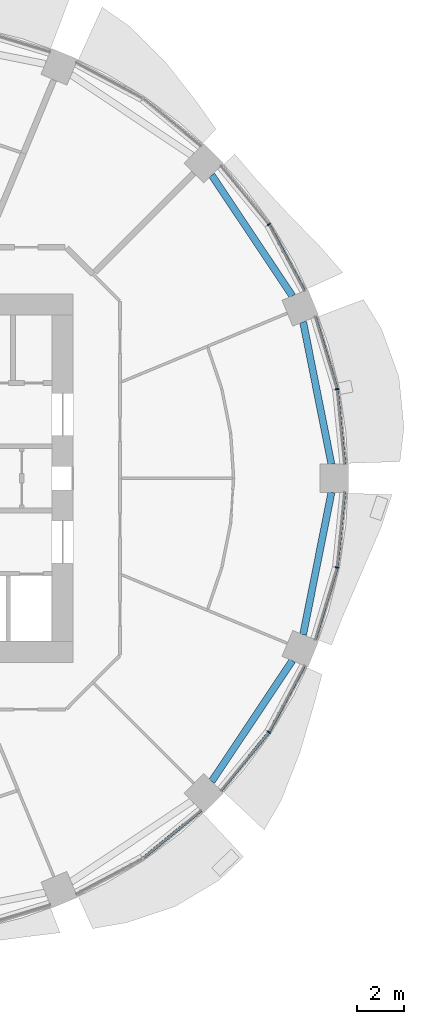
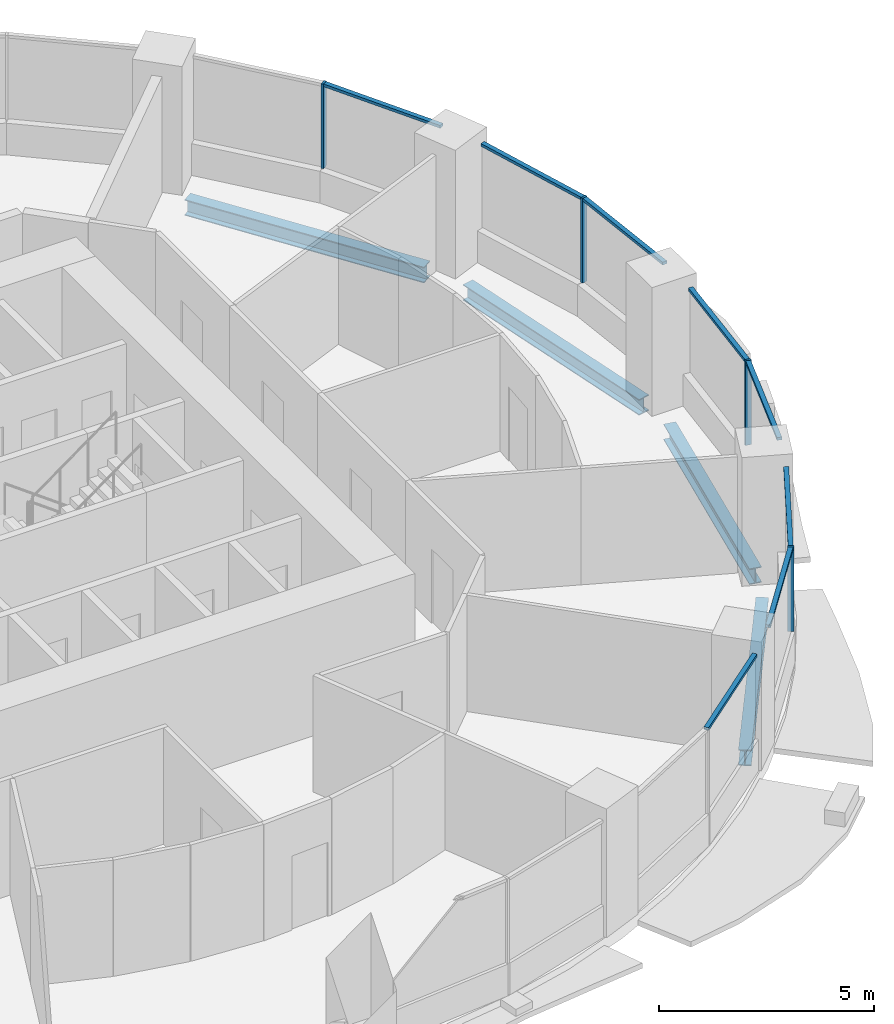
# One storey, part 5 of 15: 12 members, 4 beams, 5 elements without a shape of their own.
"""IFC4 building model written with IfcOpenShell, lengths in metres."""

from ifc_helpers import new_model, si_unit, direction, frame, origin, origin_2d, place, context, subcontext, project, spatial, rectangle, i_section, extrude, material, material_profile, profile_set, type_object, element, aggregate, save


model = new_model("IFC4")

# Units and contexts
model_context = context("Model", 3, precision=1e-05, world=origin(), true_north=direction((0.0, 1.0)))
body_context = subcontext(model_context, "Body", "Model", "MODEL_VIEW")
ifc_project = project(units=[si_unit("LENGTHUNIT", "METRE"), si_unit("AREAUNIT", "SQUARE_METRE"), si_unit("VOLUMEUNIT", "CUBIC_METRE"), si_unit("PLANEANGLEUNIT", "RADIAN"), si_unit("MASSUNIT", "GRAM", prefix="KILO")], contexts=[model_context])

# Site, building, storey
site_placement = place(None, origin())
site = spatial("IfcSite", under=ifc_project, at=site_placement, CompositionType="ELEMENT")
building_placement = place(site_placement, origin())
building = spatial("IfcBuilding", under=site, at=building_placement, Name="Polderwave Tower", CompositionType="ELEMENT")
storey_placement = place(building_placement, frame((0.0, 0.0, 48.10009765625)))
storey = spatial("IfcBuildingStorey", under=building, at=storey_placement, Name="L12", CompositionType="ELEMENT", Elevation=48.10009765625)

# Curtain wall, member
ifc_material_1 = material(Name="Aluminium 6063-T6 and glass", Category="aluminium")
curtain_wall_type = type_object("IfcCurtainWallType", Name="Growing floor ribbon glazing wall", PredefinedType="NOTDEFINED", material=ifc_material_1)
curtain_wall_1_placement = place(storey_placement, origin())
curtain_wall_1 = element("IfcCurtainWall", 1, at=curtain_wall_1_placement, inside=storey, type_object=curtain_wall_type, Name="CW2 L12 00", PredefinedType="NOTDEFINED")
ifc_material_2 = material(Name="Aluminium 6063-T6", Category="aluminium")
ifc_material_profile_1 = material_profile(ifc_material_2, rectangle(XDim=0.14990234375, YDim=0.06005859375, at=origin_2d()), Name="AL 60x150")
ifc_profile_set_1 = profile_set([ifc_material_profile_1], Name="Aluminium 6063-T6")
member_type_1 = type_object("IfcMemberType", Name="Growing floor ribbon glazing mullion 60x150", PredefinedType="MULLION", material=ifc_profile_set_1)
member_1_placement = place(storey_placement, frame((19.155029296875, 3.81005859375, 0.89990234375), z_axis=(0.0, 0.0, 1.0), x_axis=(-0.980773701784, -0.195148522643, 0.0)))
member_1 = element("IfcMember", 2, at=member_1_placement, type_object=member_type_1, Name="CW2 mullion 1", PredefinedType="MULLION", context=body_context, shape_type="SweptSolid", body=[
    extrude(rectangle(XDim=0.14990234375, YDim=0.06005859375, at=origin_2d()), origin(), (0.0, 0.0, 1.0), 2.39990234375),
])

curtain_wall_2_placement = place(storey_placement, origin())
curtain_wall_2 = element("IfcCurtainWall", 3, at=curtain_wall_2_placement, inside=storey, type_object=curtain_wall_type, Name="CW2 L12 01", PredefinedType="NOTDEFINED")
member_2_placement = place(storey_placement, frame((16.239013671875, 10.85009765625, 0.89990234375), z_axis=(0.0, 0.0, 1.0), x_axis=(-0.83146573367, -0.555576037759, 0.0)))
member_2 = element("IfcMember", 4, at=member_2_placement, type_object=member_type_1, Name="CW2 mullion 1", PredefinedType="MULLION", context=body_context, shape_type="SweptSolid", body=[
    extrude(rectangle(XDim=0.14990234375, YDim=0.06005859375, at=origin_2d()), origin(), (0.0, 0.0, 1.0), 2.39990234375),
])

curtain_wall_3_placement = place(storey_placement, origin())
curtain_wall_3 = element("IfcCurtainWall", 5, at=curtain_wall_3_placement, inside=storey, type_object=curtain_wall_type, Name="CW2 L12 14", PredefinedType="NOTDEFINED")
member_3_placement = place(storey_placement, frame((16.239013671875, -10.85009765625, 0.89990234375), z_axis=(0.0, 0.0, 1.0), x_axis=(-0.83146573367, 0.555576037759, 0.0)))
member_3 = element("IfcMember", 6, at=member_3_placement, type_object=member_type_1, Name="CW2 mullion 1", PredefinedType="MULLION", context=body_context, shape_type="SweptSolid", body=[
    extrude(rectangle(XDim=0.14990234375, YDim=0.06005859375, at=origin_2d()), origin(), (0.0, 0.0, 1.0), 2.39990234375),
])

curtain_wall_4_placement = place(storey_placement, origin())
curtain_wall_4 = element("IfcCurtainWall", 7, at=curtain_wall_4_placement, inside=storey, type_object=curtain_wall_type, Name="CW2 L12 15", PredefinedType="NOTDEFINED")
member_4_placement = place(storey_placement, frame((19.155029296875, -3.81005859375, 0.89990234375), z_axis=(0.0, 0.0, 1.0), x_axis=(-0.980773701784, 0.195148522643, 0.0)))
member_4 = element("IfcMember", 8, at=member_4_placement, type_object=member_type_1, Name="CW2 mullion 1", PredefinedType="MULLION", context=body_context, shape_type="SweptSolid", body=[
    extrude(rectangle(XDim=0.14990234375, YDim=0.06005859375, at=origin_2d()), origin(), (0.0, 0.0, 1.0), 2.39990234375),
])

# Member
ifc_material_profile_2 = material_profile(ifc_material_2, rectangle(XDim=0.1201171875, YDim=0.080078125, at=origin_2d()), Name="AL 80x120")
ifc_profile_set_2 = profile_set([ifc_material_profile_2], Name="Aluminium 6063-T6")
member_type_2 = type_object("IfcMemberType", Name="Growing floor ribbon glazing transom 80x120", PredefinedType="USERDEFINED", material=ifc_profile_set_2)
member_5_placement = place(storey_placement, frame((19.470947265625, 0.60009765625, 3.260009765625), z_axis=(-0.097952778777, 0.99519106363, 0.0), x_axis=(-0.99519106363, -0.097952778777, 0.0)))
member_5 = element("IfcMember", 9, at=member_5_placement, type_object=member_type_2, Name="CW2 transom 1", ObjectType="TRANSOM", PredefinedType="USERDEFINED", context=body_context, shape_type="SweptSolid", body=[
    extrude(rectangle(XDim=0.1201171875, YDim=0.080078125, at=origin_2d()), origin(), (0.0, 0.0, 1.0), 3.1953125),
])

member_6_placement = place(storey_placement, frame((19.146240234375, 3.838623046875, 3.260009765625), z_axis=(-0.290422902272, 0.95689839473, 0.0), x_axis=(-0.95689839473, -0.290422902272, 0.0)))
member_6 = element("IfcMember", 10, at=member_6_placement, type_object=member_type_2, Name="CW2 transom 2", ObjectType="TRANSOM", PredefinedType="USERDEFINED", context=body_context, shape_type="SweptSolid", body=[
    extrude(rectangle(XDim=0.1201171875, YDim=0.080078125, at=origin_2d()), origin(), (0.0, 0.0, 1.0), 3.196044921875),
])

aggregate(curtain_wall_1, [member_1, member_5, member_6])

member_7_placement = place(storey_placement, frame((17.759033203125, 8.006103515625, 3.260009765625), z_axis=(-0.471381370673, 0.881929477556, 0.0), x_axis=(-0.881929477556, -0.471381370673, 0.0)))
member_7 = element("IfcMember", 11, at=member_7_placement, type_object=member_type_2, Name="CW2 transom 1", ObjectType="TRANSOM", PredefinedType="USERDEFINED", context=body_context, shape_type="SweptSolid", body=[
    extrude(rectangle(XDim=0.1201171875, YDim=0.080078125, at=origin_2d()), origin(), (0.0, 0.0, 1.0), 3.194580078125),
])

aggregate(curtain_wall_2, [member_2, member_7])

# Curtain wall, member
curtain_wall_5_placement = place(storey_placement, origin())
curtain_wall_5 = element("IfcCurtainWall", 12, at=curtain_wall_5_placement, inside=storey, type_object=curtain_wall_type, Name="CW2 L12 13", PredefinedType="NOTDEFINED")
member_8_placement = place(storey_placement, frame((10.873291015625, -16.219970703125, 3.260009765625), z_axis=(0.772945627941, 0.63447226594, 0.0), x_axis=(-0.63447226594, 0.772945627941, 0.0)))
member_8 = element("IfcMember", 13, at=member_8_placement, type_object=member_type_2, Name="CW2 transom 2", ObjectType="TRANSOM", PredefinedType="USERDEFINED", context=body_context, shape_type="SweptSolid", body=[
    extrude(rectangle(XDim=0.1201171875, YDim=0.080078125, at=origin_2d()), origin(), (0.0, 0.0, 1.0), 3.196533203125),
])
aggregate(curtain_wall_5, [member_8])

# Member
member_9_placement = place(storey_placement, frame((14.19189453125, -13.343994140625, 3.260009765625), z_axis=(0.63447226594, 0.772945627941, 0.0), x_axis=(-0.772945627941, 0.63447226594, 0.0)))
member_9 = element("IfcMember", 14, at=member_9_placement, type_object=member_type_2, Name="CW2 transom 1", ObjectType="TRANSOM", PredefinedType="USERDEFINED", context=body_context, shape_type="SweptSolid", body=[
    extrude(rectangle(XDim=0.1201171875, YDim=0.080078125, at=origin_2d()), origin(), (0.0, 0.0, 1.0), 3.196533203125),
])

member_10_placement = place(storey_placement, frame((16.253173828125, -10.823486328125, 3.260009765625), z_axis=(0.471381370673, 0.881929477556, 0.0), x_axis=(-0.881929477556, 0.471381370673, 0.0)))
member_10 = element("IfcMember", 15, at=member_10_placement, type_object=member_type_2, Name="CW2 transom 2", ObjectType="TRANSOM", PredefinedType="USERDEFINED", context=body_context, shape_type="SweptSolid", body=[
    extrude(rectangle(XDim=0.1201171875, YDim=0.080078125, at=origin_2d()), origin(), (0.0, 0.0, 1.0), 3.194580078125),
])

aggregate(curtain_wall_3, [member_3, member_9, member_10])

member_11_placement = place(storey_placement, frame((18.218017578125, -6.89697265625, 3.260009765625), z_axis=(0.290422902272, 0.95689839473, 0.0), x_axis=(-0.95689839473, 0.290422902272, 0.0)))
member_11 = element("IfcMember", 16, at=member_11_placement, type_object=member_type_2, Name="CW2 transom 1", ObjectType="TRANSOM", PredefinedType="USERDEFINED", context=body_context, shape_type="SweptSolid", body=[
    extrude(rectangle(XDim=0.1201171875, YDim=0.080078125, at=origin_2d()), origin(), (0.0, 0.0, 1.0), 3.196044921875),
])

member_12_placement = place(storey_placement, frame((19.157958984375, -3.780029296875, 3.260009765625), z_axis=(0.097952778777, 0.99519106363, 0.0), x_axis=(-0.99519106363, 0.097952778777, 0.0)))
member_12 = element("IfcMember", 17, at=member_12_placement, type_object=member_type_2, Name="CW2 transom 2", ObjectType="TRANSOM", PredefinedType="USERDEFINED", context=body_context, shape_type="SweptSolid", body=[
    extrude(rectangle(XDim=0.1201171875, YDim=0.080078125, at=origin_2d()), origin(), (0.0, 0.0, 1.0), 3.1953125),
])

aggregate(curtain_wall_4, [member_4, member_11, member_12])

# Beams
ifc_material_3 = material(Name="Steel S355", Category="steel")
ifc_material_profile_3 = material_profile(ifc_material_3, i_section(OverallWidth=0.300048828125, OverallDepth=0.449951171875, WebThickness=0.013916015625, FlangeThickness=0.02587890625, at=origin_2d()), Name="HE 450 B")
ifc_profile_set_3 = profile_set([ifc_material_profile_3], Name="Steel S355")
beam_type = type_object("IfcBeamType", Name="RING BEAM HE 450 B", PredefinedType="BEAM", material=ifc_profile_set_3)
beam_1_placement = place(storey_placement, frame((18.91064453125, 0.60009765625, -0.5751953125), z_axis=(-0.195109112701, 0.980781542517, 0.0), x_axis=(-0.980781542517, -0.195109112701, 0.0)))
element("IfcBeam", 18, at=beam_1_placement, inside=storey, type_object=beam_type, Name="ST-RB-L12-00", PredefinedType="BEAM", context=body_context, shape_type="SweptSolid", body=[
    extrude(i_section(OverallWidth=0.300048828125, OverallDepth=0.449951171875, WebThickness=0.013916015625, FlangeThickness=0.02587890625, at=origin_2d()), origin(), (0.0, 0.0, 1.0), 6.201416015625),
])
for number, where, z_axis, x_axis, name in (
    (19, (17.241455078125, 7.791015625, -0.5751953125), (-0.555553875554, 0.831480541779, 0.0), (-0.831480541779, -0.555553875554, 0.0), "ST-RB-L12-01"),
    (20, (13.796142578125, -12.947509765625, -0.5751953125), (0.555553875554, 0.831480541779, 0.0), (-0.831480541779, 0.555553875554, 0.0), "ST-RB-L12-14"),
):
    element("IfcBeam", number, at=place(storey_placement, frame(where, z_axis=z_axis, x_axis=x_axis)), inside=storey, type_object=beam_type, Name=name, PredefinedType="BEAM", context=body_context, shape_type="SweptSolid", body=[
        extrude(i_section(OverallWidth=0.300048828125, OverallDepth=0.449951171875, WebThickness=0.013916015625, FlangeThickness=0.02587890625, at=origin_2d()), origin(), (0.0, 0.0, 1.0), 6.20166015625),
    ])
beam_2_placement = place(storey_placement, frame((17.70068359375, -6.682373046875, -0.5751953125), z_axis=(0.195109112701, 0.980781542517, 0.0), x_axis=(-0.980781542517, 0.195109112701, 0.0)))
element("IfcBeam", 21, at=beam_2_placement, inside=storey, type_object=beam_type, Name="ST-RB-L12-15", PredefinedType="BEAM", context=body_context, shape_type="SweptSolid", body=[
    extrude(i_section(OverallWidth=0.300048828125, OverallDepth=0.449951171875, WebThickness=0.013916015625, FlangeThickness=0.02587890625, at=origin_2d()), origin(), (0.0, 0.0, 1.0), 6.201416015625),
])

save(model, "model.ifc")
